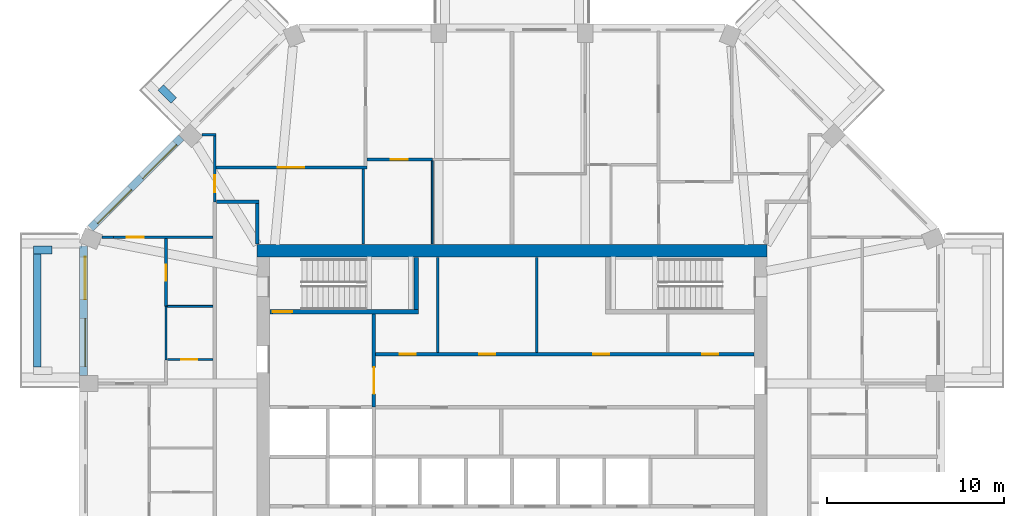
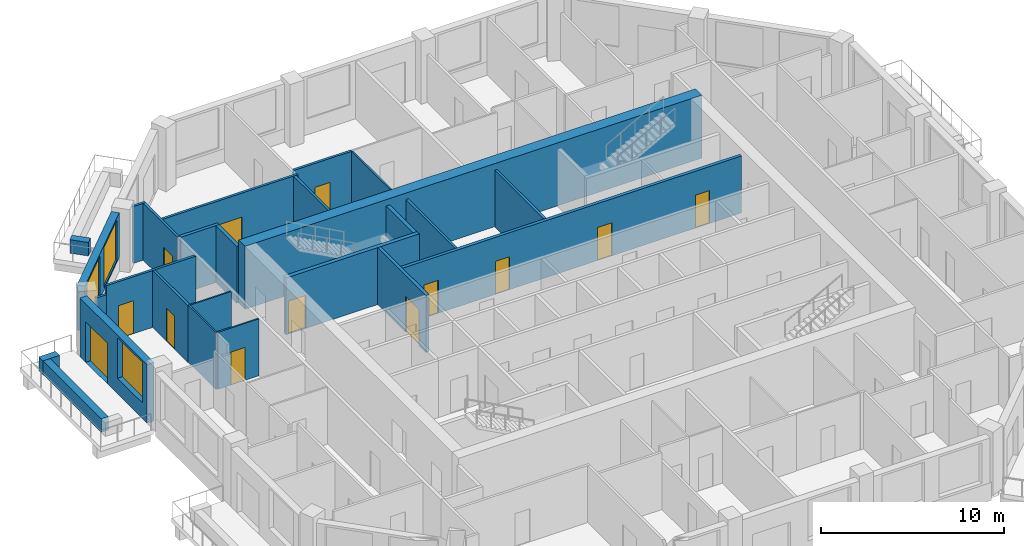
# One storey, part 7 of 12: 26 walls, 13 doors, 3 windows, 16 openings.
"""IFC4 building model written with IfcOpenShell, lengths in metres."""

import ifcopenshell
import ifcopenshell.guid

model = None  # the IFC model being written
_history = None  # IfcOwnerHistory: only IFC2X3 demands one
_inside = {}  # id of a spatial element -> (the spatial element, [elements in it])
_under = {}  # id of a project, library or spatial element -> (it, [spatial elements below it])
_declared = {}  # id of a project -> (the project, [libraries it declares])
_typed = {}  # id of a type object -> (the type object, [elements of that type])
_made_of = {}  # id of a material, layer set ... -> (it, [elements and type objects made of it])


def new_model(schema):
    """Start an empty IFC model of exactly this schema.

    Asked for "IFC4X3", IfcOpenShell would pick the latest addendum, in which some entities
    have other attributes; the version numbers below select the first issue.
    IFC2X3 requires an IfcOwnerHistory on every rooted entity: one is made here for all.
    """
    global model, _history
    if schema == "IFC4X3":
        model = ifcopenshell.file(schema_version=(4, 3, 0, 0))
    else:
        model = ifcopenshell.file(schema=schema)
    _inside.clear()
    _under.clear()
    _declared.clear()
    _typed.clear()
    _made_of.clear()
    _history = None
    if model.schema == "IFC2X3":
        org = make("IfcOrganization", Name="unknown")
        user = make(
            "IfcPersonAndOrganization",
            ThePerson=make("IfcPerson", FamilyName="unknown"),
            TheOrganization=org,
        )
        app = make(
            "IfcApplication",
            ApplicationDeveloper=org,
            Version="unknown",
            ApplicationFullName="unknown",
            ApplicationIdentifier="unknown",
        )
        _history = make(
            "IfcOwnerHistory",
            OwningUser=user,
            OwningApplication=app,
            ChangeAction="ADDED",
            CreationDate=0,
        )
    return model


def make(cls, **values):
    """One entity of the class cls with the attributes given. An attribute that is None is left unset."""
    return model.create_entity(
        cls, **{name: value for name, value in values.items() if value is not None}
    )


def rooted(cls, **values):
    """An entity with a GlobalId (a new one), such as an element, a storey or a relation."""
    return make(cls, GlobalId=ifcopenshell.guid.new(), OwnerHistory=_history, **values)


def si_unit(unit_type, name, prefix=None):
    """IfcSIUnit, for example si_unit("LENGTHUNIT", "METRE", prefix="MILLI")."""
    return make("IfcSIUnit", UnitType=unit_type, Prefix=prefix, Name=name)


def assignment(units):
    """IfcUnitAssignment: the units of a project."""
    return None if units is None else make("IfcUnitAssignment", Units=units)


def point(xyz):
    """IfcCartesianPoint."""
    return None if xyz is None else make("IfcCartesianPoint", Coordinates=xyz)


def direction(xyz):
    """IfcDirection."""
    return None if xyz is None else make("IfcDirection", DirectionRatios=xyz)


def frame(location, z_axis=None, x_axis=None):
    """IfcAxis2Placement3D, a coordinate frame: its origin and axes. An axis left out is left unset."""
    return make(
        "IfcAxis2Placement3D",
        Location=point(location),
        Axis=direction(z_axis),
        RefDirection=direction(x_axis),
    )


def frame_2d(location, x_axis=None):
    """IfcAxis2Placement2D, a coordinate frame in the plane: its origin and x axis."""
    return make(
        "IfcAxis2Placement2D", Location=point(location), RefDirection=direction(x_axis)
    )


def origin():
    """The frame at (0, 0, 0) with its axes left unset."""
    return frame((0.0, 0.0, 0.0))


def place(relative_to, where):
    """IfcLocalPlacement: puts the frame where relative to a parent placement (None: the world)."""
    return make(
        "IfcLocalPlacement", PlacementRelTo=relative_to, RelativePlacement=where
    )


def context(
    kind, dimensions, precision=None, world=None, true_north=None, identifier=None
):
    """IfcGeometricRepresentationContext, for example the 3D "Model" context."""
    return make(
        "IfcGeometricRepresentationContext",
        ContextIdentifier=identifier,
        ContextType=kind,
        CoordinateSpaceDimension=dimensions,
        Precision=precision,
        WorldCoordinateSystem=world,
        TrueNorth=true_north,
    )


def subcontext(parent, identifier, kind, view, scale=None):
    """IfcGeometricRepresentationSubContext, for example "Body" below "Model"."""
    return make(
        "IfcGeometricRepresentationSubContext",
        ContextIdentifier=identifier,
        ContextType=kind,
        ParentContext=parent,
        TargetScale=scale,
        TargetView=view,
    )


def project(units=None, contexts=None):
    """IfcProject with its units and contexts."""
    return rooted(
        "IfcProject",
        Name="project",
        RepresentationContexts=contexts,
        UnitsInContext=assignment(units),
    )


def spatial(cls, under=None, at=None, **own):
    """A site, building, storey or space (cls), placed at a placement, below another one or the project."""
    s = rooted(cls, ObjectPlacement=at, **own)
    if under is not None:
        _under.setdefault(under.id(), (under, []))[1].append(s)
    return s


def profile(cls, at=None, kind="AREA", **sizes):
    """A parametric profile (cls). Its sizes go by their IFC names, for example OverallWidth=200.0."""
    return make(cls, ProfileType=kind, Position=at, **sizes)


def rectangle(**sizes):
    """IfcRectangleProfileDef."""
    return profile("IfcRectangleProfileDef", **sizes)


def extrude(swept, where, along, depth):
    """IfcExtrudedAreaSolid: the profile swept, set in the frame where, extruded along a direction by depth."""
    return make(
        "IfcExtrudedAreaSolid",
        SweptArea=swept,
        Position=where,
        ExtrudedDirection=direction(along),
        Depth=depth,
    )


def shape(context_of_items, identifier, shape_type, items):
    """IfcShapeRepresentation: the items that make up one representation, for example the "Body"."""
    return make(
        "IfcShapeRepresentation",
        ContextOfItems=context_of_items,
        RepresentationIdentifier=identifier,
        RepresentationType=shape_type,
        Items=items,
    )


def material(Name=None, Category=None):
    """IfcMaterial."""
    return make("IfcMaterial", Name=Name, Category=Category)


def layer(
    of_material, thickness, ventilated=None, Name=None, Category=None, Priority=None
):
    """IfcMaterialLayer: one layer of a wall or slab, of a material (None: an air gap)."""
    return make(
        "IfcMaterialLayer",
        Material=of_material,
        LayerThickness=thickness,
        IsVentilated=ventilated,
        Name=Name,
        Category=Category,
        Priority=Priority,
    )


def layer_set(layers, Name=None):
    """IfcMaterialLayerSet."""
    return make("IfcMaterialLayerSet", MaterialLayers=layers, LayerSetName=Name)


def made_of(thing, what):
    """Note that an element or type object is made of a material, layer set ...; save() writes the relation."""
    if what is not None:
        _made_of.setdefault(what.id(), (what, []))[1].append(thing)
    return thing


def type_object(cls, material=None, **own):
    """A type object (cls), such as IfcWallType, which elements share."""
    return made_of(rooted(cls, **own), material)


def element(
    cls,
    number,
    at=None,
    inside=None,
    cuts=None,
    type_object=None,
    material=None,
    context=None,
    identifier="Body",
    shape_type=None,
    held_by="IfcProductDefinitionShape",
    body=None,
    shapes=None,
    **own,
):
    """One element of the class cls, such as IfcWall. Its Tag is "e" and its number.

    at: its placement. inside: the storey or other place that contains it. cuts: it is an
    opening in that element (IfcRelVoidsElement). A single representation is given by context,
    identifier, shape_type and body (its items); several are given by shapes. held_by: the class
    of the entity that holds the representations. save() writes the other relations.
    """
    e = rooted(cls, Tag="e%d" % number, ObjectPlacement=at, **own)
    if body is not None:
        shapes = [shape(context, identifier, shape_type, body)]
    if shapes is not None:
        e.Representation = make(held_by, Representations=shapes)
    if inside is not None:
        _inside.setdefault(inside.id(), (inside, []))[1].append(e)
    if cuts is not None:
        rooted(
            "IfcRelVoidsElement", RelatingBuildingElement=cuts, RelatedOpeningElement=e
        )
    if type_object is not None:
        _typed.setdefault(type_object.id(), (type_object, []))[1].append(e)
    return made_of(e, material)


def fill(opening, filler):
    """IfcRelFillsElement: the door or window that sits in an opening."""
    return rooted(
        "IfcRelFillsElement",
        RelatingOpeningElement=opening,
        RelatedBuildingElement=filler,
    )


def aggregate(whole, parts):
    """IfcRelAggregates: a whole, such as a stair, and the parts it consists of."""
    return rooted("IfcRelAggregates", RelatingObject=whole, RelatedObjects=parts)


def save(model, path):
    """Write the relations noted so far, then the file.

    IfcRelAggregates (storeys below a building ...), IfcRelContainedInSpatialStructure (elements
    in a storey), IfcRelDefinesByType, IfcRelAssociatesMaterial and IfcRelDeclares: one each for
    every whole, place, type object, material and project.
    """
    for whole, parts in _under.values():
        aggregate(whole, parts)
    for where, things in _inside.values():
        rooted(
            "IfcRelContainedInSpatialStructure",
            RelatedElements=things,
            RelatingStructure=where,
        )
    for kind, things in _typed.values():
        rooted("IfcRelDefinesByType", RelatedObjects=things, RelatingType=kind)
    for what, things in _made_of.values():
        rooted("IfcRelAssociatesMaterial", RelatedObjects=things, RelatingMaterial=what)
    for by, libraries in _declared.values():
        rooted("IfcRelDeclares", RelatingContext=by, RelatedDefinitions=libraries)
    model.write(path)


model = new_model("IFC4")

# Units and contexts
model_context = context("Model", 3, precision=1e-05, world=origin(), true_north=direction((0.0, 1.0)))
body_context = subcontext(model_context, "Body", "Model", "MODEL_VIEW")
ifc_project = project(units=[si_unit("LENGTHUNIT", "METRE"), si_unit("AREAUNIT", "SQUARE_METRE"), si_unit("VOLUMEUNIT", "CUBIC_METRE"), si_unit("PLANEANGLEUNIT", "RADIAN"), si_unit("MASSUNIT", "GRAM", prefix="KILO")], contexts=[model_context])

# Site, building, storey
site_placement = place(None, origin())
site = spatial("IfcSite", under=ifc_project, at=site_placement, CompositionType="ELEMENT")
building_placement = place(site_placement, origin())
building = spatial("IfcBuilding", under=site, at=building_placement, Name="Msitu Wima Residences", CompositionType="ELEMENT")
storey_placement = place(building_placement, frame((0.0, 0.0, 200.10009765625)))
storey = spatial("IfcBuildingStorey", under=building, at=storey_placement, Name="L46", CompositionType="ELEMENT", Elevation=200.10009765625)

# Walls
ifc_material_1 = material(Name="Facing brick")
ifc_layer_1 = layer(ifc_material_1, 0.06494140625, Name="Facing brick")
ifc_material_2 = material(Name="Concrete C40/50", Category="concrete")
ifc_layer_2 = layer(ifc_material_2, 0.156005859375, Name="Concrete C40/50")
ifc_material_3 = material(Name="Waterproofing membrane")
ifc_layer_3 = layer(ifc_material_3, 0.00390625, Name="Waterproofing membrane")
ifc_material_4 = material(Name="Planting soil and planting")
ifc_layer_4 = layer(ifc_material_4, 0.22509765625, Name="Planting soil and planting")
ifc_layer_set_1 = layer_set([ifc_layer_1, ifc_layer_2, ifc_layer_3, ifc_layer_4], Name="Concrete C40/50")
wall_type_1 = type_object("IfcWallType", Name="Balcony planter PLANTER PL450", PredefinedType="USERDEFINED", material=ifc_layer_set_1)
wall_1_placement = place(storey_placement, frame((-19.107421875, 20.1328125, 0.0), z_axis=(0.0, 0.0, 1.0), x_axis=(-0.707106781187, 0.707106781187, 0.0)))
element("IfcWall", 1, at=wall_1_placement, inside=storey, type_object=wall_type_1, Name="Balcony planter NW0 L46", ObjectType="PLANTER", PredefinedType="USERDEFINED", context=body_context, shape_type="SweptSolid", body=[
    extrude(rectangle(XDim=1.050048828125, YDim=0.449951171875, at=frame_2d((0.52490234375, 0.0))), origin(), (0.0, 0.0, 1.0), 0.89990234375),
])
wall_2_placement = place(storey_placement, frame((-26.824951171875, 11.461669921875, 0.0), z_axis=(0.0, 0.0, 1.0), x_axis=(0.0, -1.0, 0.0)))
element("IfcWall", 2, at=wall_2_placement, inside=storey, type_object=wall_type_1, Name="Balcony planter W0 L46", ObjectType="PLANTER", PredefinedType="USERDEFINED", context=body_context, shape_type="SweptSolid", body=[
    extrude(rectangle(XDim=6.37451171875, YDim=0.449951171875, at=frame_2d((3.187255859375, 0.0))), origin(), (0.0, 0.0, 1.0), 0.89990234375),
])
wall_3_placement = place(storey_placement, frame((-26.0, 11.686767578125, 0.0), z_axis=(0.0, 0.0, 1.0), x_axis=(-1.0, 0.0, 0.0)))
element("IfcWall", 3, at=wall_3_placement, inside=storey, type_object=wall_type_1, Name="Balcony planter W0 L46", ObjectType="PLANTER", PredefinedType="USERDEFINED", context=body_context, shape_type="SweptSolid", body=[
    extrude(rectangle(XDim=1.050048828125, YDim=0.449951171875, at=frame_2d((0.52490234375, 0.0))), origin(), (0.0, 0.0, 1.0), 0.89990234375),
])

# Wall, openings, windows
ifc_material_5 = material(Name="Brick (red buff mix)", Category="masonry")
ifc_layer_5 = layer(ifc_material_5, 0.449951171875)
ifc_layer_set_2 = layer_set([ifc_layer_5], Name="Brick (red buff mix)")
wall_type_2 = type_object("IfcWallType", Name="Brick infill wall BW450", PredefinedType="SOLIDWALL", material=ifc_layer_set_2)
wall_4_placement = place(storey_placement, frame((-18.68310546875, 18.046875, 0.89990234375), z_axis=(0.0, 0.0, 1.0), x_axis=(-0.707106781187, -0.707106781187, 0.0)))
wall_4 = element("IfcWall", 4, at=wall_4_placement, inside=storey, type_object=wall_type_2, Name="Brick infill wall L46 NW1", PredefinedType="SOLIDWALL", context=body_context, shape_type="SweptSolid", body=[
    extrude(rectangle(XDim=7.257080078125, YDim=0.449951171875, at=frame_2d((3.62841796875, 0.0))), origin(), (0.0, 0.0, 1.0), 3.0),
])
opening_1_placement = place(wall_4_placement, frame((0.478515625, 0.0, 0.14990234375)))
opening_1 = element("IfcOpeningElement", 5, at=opening_1_placement, cuts=wall_4, Name="Opening W46.014", PredefinedType="OPENING", context=body_context, shape_type="SweptSolid", body=[
    extrude(rectangle(XDim=2.699951171875, YDim=2.699951171875, at=frame_2d((1.35009765625, 1.35009765625))), frame((0.0, 0.23486328125, 0.0), z_axis=(0.0, -1.0, 0.0), x_axis=(1.0, 0.0, 0.0)), (0.0, 0.0, 1.0), 0.469970703125),
])
opening_2_placement = place(wall_4_placement, frame((4.07861328125, 0.0, 0.14990234375)))
opening_2 = element("IfcOpeningElement", 6, at=opening_2_placement, cuts=wall_4, Name="Opening W46.015", PredefinedType="OPENING", context=body_context, shape_type="SweptSolid", body=[
    extrude(rectangle(XDim=2.699951171875, YDim=2.699951171875, at=frame_2d((1.35009765625, 1.35009765625))), frame((0.0, 0.23486328125, 0.0), z_axis=(0.0, -1.0, 0.0), x_axis=(1.0, 0.0, 0.0)), (0.0, 0.0, 1.0), 0.469970703125),
])
ifc_material_6 = material(Name="Anodised aluminium, bronze finish, clear low-emissivity double glazing", Category="aluminium")
window_type = type_object("IfcWindowType", Name="Window W2700x2700", PartitioningType="DOUBLE_PANEL_VERTICAL", PredefinedType="WINDOW", material=ifc_material_6)
window_1_placement = place(opening_1_placement, origin())
window_1 = element("IfcWindow", 7, at=window_1_placement, inside=storey, type_object=window_type, Name="Window L46 NW1.1", OverallHeight=2.699951171875, OverallWidth=2.699951171875, PartitioningType="SINGLE_PANEL", PredefinedType="WINDOW", context=body_context, shape_type="SweptSolid", body=[
    extrude(rectangle(XDim=2.699951171875, YDim=2.699951171875, at=frame_2d((1.35009765625, 1.35009765625))), frame((0.0, 0.135009765625, 0.0), z_axis=(0.0, -1.0, 0.0), x_axis=(1.0, 0.0, 0.0)), (0.0, 0.0, 1.0), 0.06005859375),
])
fill(opening_1, window_1)
window_2_placement = place(opening_2_placement, origin())
window_2 = element("IfcWindow", 8, at=window_2_placement, inside=storey, type_object=window_type, Name="Window L46 NW1.2", OverallHeight=2.699951171875, OverallWidth=2.699951171875, PartitioningType="SINGLE_PANEL", PredefinedType="WINDOW", context=body_context, shape_type="SweptSolid", body=[
    extrude(rectangle(XDim=2.699951171875, YDim=2.699951171875, at=frame_2d((1.35009765625, 1.35009765625))), frame((0.0, 0.135009765625, 0.0), z_axis=(0.0, -1.0, 0.0), x_axis=(1.0, 0.0, 0.0)), (0.0, 0.0, 1.0), 0.06005859375),
])
fill(opening_2, window_2)

# Wall, openings, door, window
wall_5_placement = place(storey_placement, frame((-24.22509765625, 11.9248046875, 0.0), z_axis=(0.0, 0.0, 1.0), x_axis=(0.0, -1.0, 0.0)))
wall_5 = element("IfcWall", 9, at=wall_5_placement, inside=storey, type_object=wall_type_2, Name="Brick infill wall L46 W0", PredefinedType="SOLIDWALL", context=body_context, shape_type="SweptSolid", body=[
    extrude(rectangle(XDim=7.337646484375, YDim=0.449951171875, at=frame_2d((3.6689453125, 0.0))), origin(), (0.0, 0.0, 1.0), 3.89990234375),
])
opening_3_placement = place(wall_5_placement, frame((0.63427734375, 0.0, 0.0)))
opening_3 = element("IfcOpeningElement", 10, at=opening_3_placement, cuts=wall_5, Name="Opening D46.009", PredefinedType="OPENING", context=body_context, shape_type="SweptSolid", body=[
    extrude(rectangle(XDim=2.39990234375, YDim=2.699951171875, at=frame_2d((1.199951171875, 1.35009765625))), frame((0.0, 0.23486328125, 0.0), z_axis=(0.0, -1.0, 0.0), x_axis=(1.0, 0.0, 0.0)), (0.0, 0.0, 1.0), 0.469970703125),
])
opening_4_placement = place(wall_5_placement, frame((4.11865234375, 0.0, 1.050048828125)))
opening_4 = element("IfcOpeningElement", 11, at=opening_4_placement, cuts=wall_5, Name="Opening W46.027", PredefinedType="OPENING", context=body_context, shape_type="SweptSolid", body=[
    extrude(rectangle(XDim=2.699951171875, YDim=2.699951171875, at=frame_2d((1.35009765625, 1.35009765625))), frame((0.0, 0.23486328125, 0.0), z_axis=(0.0, -1.0, 0.0), x_axis=(1.0, 0.0, 0.0)), (0.0, 0.0, 1.0), 0.469970703125),
])
door_type_1 = type_object("IfcDoorType", Name="Balcony door D2400x2700", OperationType="SLIDING_TO_LEFT", PredefinedType="DOOR", material=ifc_material_6)
door_1_placement = place(opening_3_placement, origin())
door_1 = element("IfcDoor", 12, at=door_1_placement, inside=storey, type_object=door_type_1, Name="Balcony door L46 W0", OperationType="SINGLE_SWING_LEFT", OverallHeight=2.699951171875, OverallWidth=2.39990234375, PredefinedType="DOOR", context=body_context, shape_type="SweptSolid", body=[
    extrude(rectangle(XDim=2.39990234375, YDim=2.699951171875, at=frame_2d((1.199951171875, 1.35009765625))), frame((0.0, 0.1298828125, 0.0), z_axis=(0.0, -1.0, 0.0), x_axis=(1.0, 0.0, 0.0)), (0.0, 0.0, 1.0), 0.050048828125),
])
fill(opening_3, door_1)
window_3_placement = place(opening_4_placement, origin())
window_3 = element("IfcWindow", 13, at=window_3_placement, inside=storey, type_object=window_type, Name="Window L46 W0.2", OverallHeight=2.699951171875, OverallWidth=2.699951171875, PartitioningType="SINGLE_PANEL", PredefinedType="WINDOW", context=body_context, shape_type="SweptSolid", body=[
    extrude(rectangle(XDim=2.699951171875, YDim=2.699951171875, at=frame_2d((1.35009765625, 1.35009765625))), frame((0.0, 0.135009765625, 0.0), z_axis=(0.0, -1.0, 0.0), x_axis=(1.0, 0.0, 0.0)), (0.0, 0.0, 1.0), 0.06005859375),
])
fill(opening_4, window_3)

# Walls
ifc_material_7 = material(Name="Concrete C60/75", Category="concrete")
ifc_layer_6 = layer(ifc_material_7, 0.699951171875)
ifc_layer_set_3 = layer_set([ifc_layer_6], Name="Concrete C60/75")
wall_type_3 = type_object("IfcWallType", Name="Core wall CW700 C60/75", PredefinedType="SHEAR", material=ifc_layer_set_3)
wall_6_placement = place(storey_placement, frame((-14.39990234375, 11.64990234375, 0.0), z_axis=(0.0, 0.0, 1.0), x_axis=(1.0, 0.0, 0.0)))
element("IfcWall", 14, at=wall_6_placement, inside=storey, type_object=wall_type_3, Name="Core wall", PredefinedType="SHEAR", context=body_context, shape_type="SweptSolid", body=[
    extrude(rectangle(XDim=28.7998046875, YDim=0.699951171875, at=frame_2d((14.39990234375, 0.0))), origin(), (0.0, 0.0, 1.0), 4.199951171875),
])
ifc_material_8 = material(Name="Plaster")
ifc_layer_7 = layer(ifc_material_8, 0.011962890625, Name="Plaster")
ifc_material_9 = material(Name="Concrete blockwork", Category="masonry")
ifc_layer_8 = layer(ifc_material_9, 0.176025390625, Name="Concrete blockwork")
ifc_layer_9 = layer(ifc_material_8, 0.011962890625, Name="Plaster")
ifc_layer_set_4 = layer_set([ifc_layer_7, ifc_layer_8, ifc_layer_9], Name="Concrete blockwork")
wall_type_4 = type_object("IfcWallType", Name="Corridor wall FW200", PredefinedType="PARTITIONING", material=ifc_layer_set_4)
wall_7_placement = place(storey_placement, frame((-16.699951171875, 14.39990234375, 0.0), z_axis=(0.0, 0.0, 1.0), x_axis=(1.0, 0.0, 0.0)))
element("IfcWall", 15, at=wall_7_placement, inside=storey, type_object=wall_type_4, Name="Corridor wall", PredefinedType="PARTITIONING", context=body_context, shape_type="SweptSolid", body=[
    extrude(rectangle(XDim=2.39990234375, YDim=0.199951171875, at=frame_2d((1.199951171875, 0.0))), origin(), (0.0, 0.0, 1.0), 3.7978515625),
])
wall_8_placement = place(storey_placement, frame((-14.39990234375, 12.030029296875, 0.0), z_axis=(0.0, 0.0, 1.0), x_axis=(0.0, 1.0, 0.0)))
element("IfcWall", 16, at=wall_8_placement, inside=storey, type_object=wall_type_4, Name="Corridor wall", PredefinedType="PARTITIONING", context=body_context, shape_type="SweptSolid", body=[
    extrude(rectangle(XDim=2.27001953125, YDim=0.199951171875, at=frame_2d((1.135009765625, 0.0))), origin(), (0.0, 0.0, 1.0), 3.7978515625),
])

# Wall, opening, door
wall_9_placement = place(storey_placement, frame((-7.800048828125, 2.800048828125, 0.0), z_axis=(0.0, 0.0, 1.0), x_axis=(0.0, 1.0, 0.0)))
wall_9 = element("IfcWall", 17, at=wall_9_placement, inside=storey, type_object=wall_type_4, Name="Corridor wall", PredefinedType="PARTITIONING", context=body_context, shape_type="SweptSolid", body=[
    extrude(rectangle(XDim=5.27490234375, YDim=0.199951171875, at=frame_2d((2.637451171875, 0.0))), origin(), (0.0, 0.0, 1.0), 3.7978515625),
])
opening_5_placement = place(wall_9_placement, frame((0.75, 0.0, 0.0)))
opening_5 = element("IfcOpeningElement", 18, at=opening_5_placement, cuts=wall_9, Name="Opening D46.061", PredefinedType="OPENING", context=body_context, shape_type="SweptSolid", body=[
    extrude(rectangle(XDim=1.5, YDim=2.39990234375, at=frame_2d((0.75, 1.199951171875))), frame((0.0, 0.10986328125, 0.0), z_axis=(0.0, -1.0, 0.0), x_axis=(1.0, 0.0, 0.0)), (0.0, 0.0, 1.0), 0.219970703125),
])
ifc_material_10 = material(Name="Steel framed glazed door, fire resisting", Category="steel")
door_type_2 = type_object("IfcDoorType", Name="Lobby door D07 1500x2400", OperationType="DOUBLE_DOOR_SINGLE_SWING", PredefinedType="DOOR", material=ifc_material_10)
door_2_placement = place(opening_5_placement, origin())
door_2 = element("IfcDoor", 19, at=door_2_placement, inside=storey, type_object=door_type_2, Name="Lobby door", OperationType="DOUBLE_DOOR_SINGLE_SWING", OverallHeight=2.39990234375, OverallWidth=1.5, PredefinedType="DOOR", context=body_context, shape_type="SweptSolid", body=[
    extrude(rectangle(XDim=1.5, YDim=2.39990234375, at=frame_2d((0.75, 1.199951171875))), frame((0.0, 0.02490234375, 0.0), z_axis=(0.0, -1.0, 0.0), x_axis=(1.0, 0.0, 0.0)), (0.0, 0.0, 1.0), 0.050048828125),
])
fill(opening_5, door_2)

# Wall, openings, doors
wall_10_placement = place(storey_placement, frame((-7.699951171875, 5.800048828125, 0.0), z_axis=(0.0, 0.0, 1.0), x_axis=(1.0, 0.0, 0.0)))
wall_10 = element("IfcWall", 20, at=wall_10_placement, inside=storey, type_object=wall_type_4, Name="Corridor wall", PredefinedType="PARTITIONING", context=body_context, shape_type="SweptSolid", body=[
    extrude(rectangle(XDim=21.369873046875, YDim=0.199951171875, at=frame_2d((10.68505859375, 0.0))), origin(), (0.0, 0.0, 1.0), 3.7978515625),
])
opening_6_placement = place(wall_10_placement, frame((1.35009765625, 0.0, 0.0)))
opening_6 = element("IfcOpeningElement", 21, at=opening_6_placement, cuts=wall_10, Name="Opening D46.064", PredefinedType="OPENING", context=body_context, shape_type="SweptSolid", body=[
    extrude(rectangle(XDim=0.89990234375, YDim=2.199951171875, at=frame_2d((0.449951171875, 1.10009765625))), frame((0.0, 0.10986328125, 0.0), z_axis=(0.0, -1.0, 0.0), x_axis=(1.0, 0.0, 0.0)), (0.0, 0.0, 1.0), 0.219970703125),
])
opening_7_placement = place(wall_10_placement, frame((5.85009765625, 0.0, 0.0)))
opening_7 = element("IfcOpeningElement", 22, at=opening_7_placement, cuts=wall_10, Name="Opening D46.065", PredefinedType="OPENING", context=body_context, shape_type="SweptSolid", body=[
    extrude(rectangle(XDim=0.89990234375, YDim=2.199951171875, at=frame_2d((0.449951171875, 1.10009765625))), frame((0.0, 0.10986328125, 0.0), z_axis=(0.0, -1.0, 0.0), x_axis=(1.0, 0.0, 0.0)), (0.0, 0.0, 1.0), 0.219970703125),
])
opening_8_placement = place(wall_10_placement, frame((12.300048828125, 0.0, 0.0)))
opening_8 = element("IfcOpeningElement", 23, at=opening_8_placement, cuts=wall_10, Name="Opening D46.066", PredefinedType="OPENING", context=body_context, shape_type="SweptSolid", body=[
    extrude(rectangle(XDim=0.89990234375, YDim=2.199951171875, at=frame_2d((0.449951171875, 1.10009765625))), frame((0.0, 0.10986328125, 0.0), z_axis=(0.0, -1.0, 0.0), x_axis=(1.0, 0.0, 0.0)), (0.0, 0.0, 1.0), 0.219970703125),
])
opening_9_placement = place(wall_10_placement, frame((18.449951171875, 0.0, 0.0)))
opening_9 = element("IfcOpeningElement", 24, at=opening_9_placement, cuts=wall_10, Name="Opening D46.067", PredefinedType="OPENING", context=body_context, shape_type="SweptSolid", body=[
    extrude(rectangle(XDim=0.89990234375, YDim=2.199951171875, at=frame_2d((0.449951171875, 1.10009765625))), frame((0.0, 0.10986328125, 0.0), z_axis=(0.0, -1.0, 0.0), x_axis=(1.0, 0.0, 0.0)), (0.0, 0.0, 1.0), 0.219970703125),
])
ifc_material_11 = material(Name="Timber flush door", Category="wood")
door_type_3 = type_object("IfcDoorType", Name="Service door D05 900x2200", OperationType="SINGLE_SWING_LEFT", PredefinedType="DOOR", material=ifc_material_11)
door_3_placement = place(opening_6_placement, origin())
door_3 = element("IfcDoor", 25, at=door_3_placement, inside=storey, type_object=door_type_3, Name="Service door", OperationType="SINGLE_SWING_RIGHT", OverallHeight=2.199951171875, OverallWidth=0.89990234375, PredefinedType="DOOR", context=body_context, shape_type="SweptSolid", body=[
    extrude(rectangle(XDim=0.89990234375, YDim=2.199951171875, at=frame_2d((0.449951171875, 1.10009765625))), frame((0.0, 0.02490234375, 0.0), z_axis=(0.0, -1.0, 0.0), x_axis=(1.0, 0.0, 0.0)), (0.0, 0.0, 1.0), 0.050048828125),
])
fill(opening_6, door_3)
door_4_placement = place(opening_7_placement, origin())
door_4 = element("IfcDoor", 26, at=door_4_placement, inside=storey, type_object=door_type_3, Name="Service door", OperationType="SINGLE_SWING_LEFT", OverallHeight=2.199951171875, OverallWidth=0.89990234375, PredefinedType="DOOR", context=body_context, shape_type="SweptSolid", body=[
    extrude(rectangle(XDim=0.89990234375, YDim=2.199951171875, at=frame_2d((0.449951171875, 1.10009765625))), frame((0.0, 0.02490234375, 0.0), z_axis=(0.0, -1.0, 0.0), x_axis=(1.0, 0.0, 0.0)), (0.0, 0.0, 1.0), 0.050048828125),
])
fill(opening_7, door_4)
door_5_placement = place(opening_8_placement, origin())
door_5 = element("IfcDoor", 27, at=door_5_placement, inside=storey, type_object=door_type_3, Name="Service door", OperationType="SINGLE_SWING_RIGHT", OverallHeight=2.199951171875, OverallWidth=0.89990234375, PredefinedType="DOOR", context=body_context, shape_type="SweptSolid", body=[
    extrude(rectangle(XDim=0.89990234375, YDim=2.199951171875, at=frame_2d((0.449951171875, 1.10009765625))), frame((0.0, 0.02490234375, 0.0), z_axis=(0.0, -1.0, 0.0), x_axis=(1.0, 0.0, 0.0)), (0.0, 0.0, 1.0), 0.050048828125),
])
fill(opening_8, door_5)
door_6_placement = place(opening_9_placement, origin())
door_6 = element("IfcDoor", 28, at=door_6_placement, inside=storey, type_object=door_type_3, Name="Service door", OperationType="SINGLE_SWING_LEFT", OverallHeight=2.199951171875, OverallWidth=0.89990234375, PredefinedType="DOOR", context=body_context, shape_type="SweptSolid", body=[
    extrude(rectangle(XDim=0.89990234375, YDim=2.199951171875, at=frame_2d((0.449951171875, 1.10009765625))), frame((0.0, 0.02490234375, 0.0), z_axis=(0.0, -1.0, 0.0), x_axis=(1.0, 0.0, 0.0)), (0.0, 0.0, 1.0), 0.050048828125),
])
fill(opening_9, door_6)

# Wall
ifc_layer_10 = layer(ifc_material_8, 0.011962890625, Name="Plaster")
ifc_layer_11 = layer(ifc_material_9, 0.1259765625, Name="Concrete blockwork")
ifc_layer_12 = layer(ifc_material_8, 0.011962890625, Name="Plaster")
ifc_layer_set_5 = layer_set([ifc_layer_10, ifc_layer_11, ifc_layer_12], Name="Concrete blockwork")
wall_type_5 = type_object("IfcWallType", Name="Partition PW150", PredefinedType="PARTITIONING", material=ifc_layer_set_5)
wall_11_placement = place(storey_placement, frame((-23.169677734375, 12.409912109375, 0.0), z_axis=(0.0, 0.0, 1.0), x_axis=(1.0, 0.0, 0.0)))
element("IfcWall", 29, at=wall_11_placement, inside=storey, type_object=wall_type_5, Name="Partition", PredefinedType="PARTITIONING", context=body_context, shape_type="SweptSolid", body=[
    extrude(rectangle(XDim=0.640380859375, YDim=0.14990234375, at=frame_2d((0.3203125, 0.0))), origin(), (0.0, 0.0, 1.0), 3.199951171875),
])

# Wall, opening, door
wall_12_placement = place(storey_placement, frame((-22.529296875, 12.409912109375, 0.0), z_axis=(0.0, 0.0, 1.0), x_axis=(1.0, 0.0, 0.0)))
wall_12 = element("IfcWall", 30, at=wall_12_placement, inside=storey, type_object=wall_type_5, Name="Partition", PredefinedType="PARTITIONING", context=body_context, shape_type="SweptSolid", body=[
    extrude(rectangle(XDim=5.62939453125, YDim=0.14990234375, at=frame_2d((2.814697265625, 0.0))), origin(), (0.0, 0.0, 1.0), 3.7978515625),
])
opening_10_placement = place(wall_12_placement, frame((0.759521484375, 0.0, 0.0)))
opening_10 = element("IfcOpeningElement", 31, at=opening_10_placement, cuts=wall_12, Name="Opening D46.043", PredefinedType="OPENING", context=body_context, shape_type="SweptSolid", body=[
    extrude(rectangle(XDim=0.949951171875, YDim=2.199951171875, at=frame_2d((0.47509765625, 1.10009765625))), frame((0.0, 0.0849609375, 0.0), z_axis=(0.0, -1.0, 0.0), x_axis=(1.0, 0.0, 0.0)), (0.0, 0.0, 1.0), 0.169921875),
])
door_type_4 = type_object("IfcDoorType", Name="Room door D12 950x2200", OperationType="SINGLE_SWING_LEFT", PredefinedType="DOOR", material=ifc_material_11)
door_7_placement = place(opening_10_placement, origin())
door_7 = element("IfcDoor", 32, at=door_7_placement, inside=storey, type_object=door_type_4, Name="Room door", OperationType="SINGLE_SWING_LEFT", OverallHeight=2.199951171875, OverallWidth=0.949951171875, PredefinedType="DOOR", context=body_context, shape_type="SweptSolid", body=[
    extrude(rectangle(XDim=0.949951171875, YDim=2.199951171875, at=frame_2d((0.47509765625, 1.10009765625))), frame((0.0, 0.02490234375, 0.0), z_axis=(0.0, -1.0, 0.0), x_axis=(1.0, 0.0, 0.0)), (0.0, 0.0, 1.0), 0.050048828125),
])
fill(opening_10, door_7)

wall_13_placement = place(storey_placement, frame((-19.550048828125, 8.5, 0.0), z_axis=(0.0, 0.0, 1.0), x_axis=(0.0, 1.0, 0.0)))
wall_13 = element("IfcWall", 33, at=wall_13_placement, inside=storey, type_object=wall_type_5, Name="Partition", PredefinedType="PARTITIONING", context=body_context, shape_type="SweptSolid", body=[
    extrude(rectangle(XDim=3.8349609375, YDim=0.14990234375, at=frame_2d((1.91748046875, 0.0))), origin(), (0.0, 0.0, 1.0), 3.7978515625),
])
opening_11_placement = place(wall_13_placement, frame((1.449951171875, 0.0, 0.0)))
opening_11 = element("IfcOpeningElement", 34, at=opening_11_placement, cuts=wall_13, Name="Opening D46.029", PredefinedType="OPENING", context=body_context, shape_type="SweptSolid", body=[
    extrude(rectangle(XDim=0.89990234375, YDim=2.199951171875, at=frame_2d((0.449951171875, 1.10009765625))), frame((0.0, 0.0849609375, 0.0), z_axis=(0.0, -1.0, 0.0), x_axis=(1.0, 0.0, 0.0)), (0.0, 0.0, 1.0), 0.169921875),
])
door_8_placement = place(opening_11_placement, origin())
door_8 = element("IfcDoor", 35, at=door_8_placement, inside=storey, type_object=door_type_3, Name="Service door", OperationType="SINGLE_SWING_RIGHT", OverallHeight=2.199951171875, OverallWidth=0.89990234375, PredefinedType="DOOR", context=body_context, shape_type="SweptSolid", body=[
    extrude(rectangle(XDim=0.89990234375, YDim=2.199951171875, at=frame_2d((0.449951171875, 1.10009765625))), frame((0.0, 0.02490234375, 0.0), z_axis=(0.0, -1.0, 0.0), x_axis=(1.0, 0.0, 0.0)), (0.0, 0.0, 1.0), 0.050048828125),
])
fill(opening_11, door_8)

# Wall
wall_14_placement = place(storey_placement, frame((-17.509521484375, 18.205810546875, 0.0), z_axis=(0.0, 0.0, 1.0), x_axis=(1.0, 0.0, 0.0)))
element("IfcWall", 36, at=wall_14_placement, inside=storey, type_object=wall_type_5, Name="Partition", PredefinedType="PARTITIONING", context=body_context, shape_type="SweptSolid", body=[
    extrude(rectangle(XDim=0.784423828125, YDim=0.14990234375, at=frame_2d((0.39208984375, 0.0))), origin(), (0.0, 0.0, 1.0), 3.7978515625),
])

# Wall, opening, door
wall_15_placement = place(storey_placement, frame((-16.800048828125, 14.39990234375, 0.0), z_axis=(0.0, 0.0, 1.0), x_axis=(0.0, 1.0, 0.0)))
wall_15 = element("IfcWall", 37, at=wall_15_placement, inside=storey, type_object=wall_type_5, Name="Partition", PredefinedType="PARTITIONING", context=body_context, shape_type="SweptSolid", body=[
    extrude(rectangle(XDim=3.73095703125, YDim=0.14990234375, at=frame_2d((1.865478515625, 0.0))), origin(), (0.0, 0.0, 1.0), 3.7978515625),
])
opening_12_placement = place(wall_15_placement, frame((0.550048828125, 0.0, 0.0)))
opening_12 = element("IfcOpeningElement", 38, at=opening_12_placement, cuts=wall_15, Name="Opening D46.045", PredefinedType="OPENING", context=body_context, shape_type="SweptSolid", body=[
    extrude(rectangle(XDim=0.949951171875, YDim=2.199951171875, at=frame_2d((0.47509765625, 1.10009765625))), frame((0.0, 0.0849609375, 0.0), z_axis=(0.0, -1.0, 0.0), x_axis=(1.0, 0.0, 0.0)), (0.0, 0.0, 1.0), 0.169921875),
])
door_9_placement = place(opening_12_placement, origin())
door_9 = element("IfcDoor", 39, at=door_9_placement, inside=storey, type_object=door_type_4, Name="Room door", OperationType="SINGLE_SWING_LEFT", OverallHeight=2.199951171875, OverallWidth=0.949951171875, PredefinedType="DOOR", context=body_context, shape_type="SweptSolid", body=[
    extrude(rectangle(XDim=0.949951171875, YDim=2.199951171875, at=frame_2d((0.47509765625, 1.10009765625))), frame((0.0, 0.02490234375, 0.0), z_axis=(0.0, -1.0, 0.0), x_axis=(1.0, 0.0, 0.0)), (0.0, 0.0, 1.0), 0.050048828125),
])
fill(opening_12, door_9)

wall_16_placement = place(storey_placement, frame((-16.72509765625, 16.35009765625, 0.0), z_axis=(0.0, 0.0, 1.0), x_axis=(1.0, 0.0, 0.0)))
wall_16 = element("IfcWall", 40, at=wall_16_placement, inside=storey, type_object=wall_type_5, Name="Partition", PredefinedType="PARTITIONING", context=body_context, shape_type="SweptSolid", body=[
    extrude(rectangle(XDim=8.525634765625, YDim=0.14990234375, at=frame_2d((4.2626953125, 0.0))), origin(), (0.0, 0.0, 1.0), 3.7978515625),
])
opening_13_placement = place(wall_16_placement, frame((3.5, 0.0, 0.0)))
opening_13 = element("IfcOpeningElement", 41, at=opening_13_placement, cuts=wall_16, Name="Opening D46.026", PredefinedType="OPENING", context=body_context, shape_type="SweptSolid", body=[
    extrude(rectangle(XDim=1.5, YDim=2.199951171875, at=frame_2d((0.75, 1.10009765625))), frame((0.0, 0.0849609375, 0.0), z_axis=(0.0, -1.0, 0.0), x_axis=(1.0, 0.0, 0.0)), (0.0, 0.0, 1.0), 0.169921875),
])
ifc_material_12 = material(Name="Timber double door", Category="wood")
door_type_5 = type_object("IfcDoorType", Name="Double door D04 1500x2200", OperationType="DOUBLE_DOOR_SINGLE_SWING", PredefinedType="DOOR", material=ifc_material_12)
door_10_placement = place(opening_13_placement, origin())
door_10 = element("IfcDoor", 42, at=door_10_placement, inside=storey, type_object=door_type_5, Name="Double door", OperationType="DOUBLE_DOOR_SINGLE_SWING", OverallHeight=2.199951171875, OverallWidth=1.5, PredefinedType="DOOR", context=body_context, shape_type="SweptSolid", body=[
    extrude(rectangle(XDim=1.5, YDim=2.199951171875, at=frame_2d((0.75, 1.10009765625))), frame((0.0, 0.02490234375, 0.0), z_axis=(0.0, -1.0, 0.0), x_axis=(1.0, 0.0, 0.0)), (0.0, 0.0, 1.0), 0.050048828125),
])
fill(opening_13, door_10)

# Wall
wall_17_placement = place(storey_placement, frame((-8.39990234375, 12.030029296875, 0.0), z_axis=(0.0, 0.0, 1.0), x_axis=(0.0, 1.0, 0.0)))
element("IfcWall", 43, at=wall_17_placement, inside=storey, type_object=wall_type_5, Name="Partition", PredefinedType="PARTITIONING", context=body_context, shape_type="SweptSolid", body=[
    extrude(rectangle(XDim=4.244873046875, YDim=0.14990234375, at=frame_2d((2.12255859375, 0.0))), origin(), (0.0, 0.0, 1.0), 3.7978515625),
])

# Wall, opening, door
wall_18_placement = place(storey_placement, frame((-8.199462890625, 16.800048828125, 0.0), z_axis=(0.0, 0.0, 1.0), x_axis=(1.0, 0.0, 0.0)))
wall_18 = element("IfcWall", 44, at=wall_18_placement, inside=storey, type_object=wall_type_5, Name="Partition", PredefinedType="PARTITIONING", context=body_context, shape_type="SweptSolid", body=[
    extrude(rectangle(XDim=3.699462890625, YDim=0.14990234375, at=frame_2d((1.849609375, 0.0))), origin(), (0.0, 0.0, 1.0), 3.7978515625),
])
opening_14_placement = place(wall_18_placement, frame((1.35009765625, 0.0, 0.0)))
opening_14 = element("IfcOpeningElement", 45, at=opening_14_placement, cuts=wall_18, Name="Opening D46.035", PredefinedType="OPENING", context=body_context, shape_type="SweptSolid", body=[
    extrude(rectangle(XDim=0.949951171875, YDim=2.199951171875, at=frame_2d((0.47509765625, 1.10009765625))), frame((0.0, 0.0849609375, 0.0), z_axis=(0.0, -1.0, 0.0), x_axis=(1.0, 0.0, 0.0)), (0.0, 0.0, 1.0), 0.169921875),
])
door_11_placement = place(opening_14_placement, origin())
door_11 = element("IfcDoor", 46, at=door_11_placement, inside=storey, type_object=door_type_4, Name="Room door", OperationType="SINGLE_SWING_LEFT", OverallHeight=2.199951171875, OverallWidth=0.949951171875, PredefinedType="DOOR", context=body_context, shape_type="SweptSolid", body=[
    extrude(rectangle(XDim=0.949951171875, YDim=2.199951171875, at=frame_2d((0.47509765625, 1.10009765625))), frame((0.0, 0.02490234375, 0.0), z_axis=(0.0, -1.0, 0.0), x_axis=(1.0, 0.0, 0.0)), (0.0, 0.0, 1.0), 0.050048828125),
])
fill(opening_14, door_11)

# Walls
for number, where, z_axis, x_axis, name in (
    (47, (-4.199951171875, 5.89990234375, 0.0), (0.0, 0.0, 1.0), (0.0, 1.0, 0.0), "Partition"),
    (48, (1.39990234375, 5.89990234375, 0.0), (0.0, 0.0, 1.0), (0.0, 1.0, 0.0), "Partition"),
):
    element("IfcWall", number, at=place(storey_placement, frame(where, z_axis=z_axis, x_axis=x_axis)), inside=storey, type_object=wall_type_5, Name=name, PredefinedType="PARTITIONING", context=body_context, shape_type="SweptSolid", body=[
        extrude(rectangle(XDim=5.3701171875, YDim=0.14990234375, at=frame_2d((2.68505859375, 0.0))), origin(), (0.0, 0.0, 1.0), 3.7978515625),
    ])

# Wall, opening, door
ifc_material_13 = material(Name="Concrete C50/60", Category="concrete")
ifc_layer_13 = layer(ifc_material_13, 0.25)
ifc_layer_set_6 = layer_set([ifc_layer_13], Name="Concrete C50/60")
wall_type_6 = type_object("IfcWallType", Name="Stair enclosure wall SW250", PredefinedType="SHEAR", material=ifc_layer_set_6)
wall_19_placement = place(storey_placement, frame((-13.669921875, 8.199951171875, 0.0), z_axis=(0.0, 0.0, 1.0), x_axis=(1.0, 0.0, 0.0)))
wall_19 = element("IfcWall", 49, at=wall_19_placement, inside=storey, type_object=wall_type_6, Name="Stair enclosure wall", PredefinedType="SHEAR", context=body_context, shape_type="SweptSolid", body=[
    extrude(rectangle(XDim=8.39501953125, YDim=0.25, at=frame_2d((4.197509765625, 0.0))), origin(), (0.0, 0.0, 1.0), 3.7978515625),
])
opening_15_placement = place(wall_19_placement, frame((0.14990234375, 0.0, 0.0)))
opening_15 = element("IfcOpeningElement", 50, at=opening_15_placement, cuts=wall_19, Name="Opening D46.078", PredefinedType="OPENING", context=body_context, shape_type="SweptSolid", body=[
    extrude(rectangle(XDim=1.10009765625, YDim=2.199951171875, at=frame_2d((0.550048828125, 1.10009765625))), frame((0.0, 0.135009765625, 0.0), z_axis=(0.0, -1.0, 0.0), x_axis=(1.0, 0.0, 0.0)), (0.0, 0.0, 1.0), 0.27001953125),
])
ifc_material_14 = material(Name="Steel door, fire resisting, panic bar", Category="steel")
door_type_6 = type_object("IfcDoorType", Name="Stair door D06 1100x2200", OperationType="SINGLE_SWING_LEFT", PredefinedType="DOOR", material=ifc_material_14)
door_12_placement = place(opening_15_placement, origin())
door_12 = element("IfcDoor", 51, at=door_12_placement, inside=storey, type_object=door_type_6, Name="Stair door", OperationType="SINGLE_SWING_LEFT", OverallHeight=2.199951171875, OverallWidth=1.10009765625, PredefinedType="DOOR", context=body_context, shape_type="SweptSolid", body=[
    extrude(rectangle(XDim=1.10009765625, YDim=2.199951171875, at=frame_2d((0.550048828125, 1.10009765625))), frame((0.0, 0.02490234375, 0.0), z_axis=(0.0, -1.0, 0.0), x_axis=(1.0, 0.0, 0.0)), (0.0, 0.0, 1.0), 0.050048828125),
])
fill(opening_15, door_12)

# Walls
wall_20_placement = place(storey_placement, frame((-5.39990234375, 8.324951171875, 0.0), z_axis=(0.0, 0.0, 1.0), x_axis=(0.0, 1.0, 0.0)))
element("IfcWall", 52, at=wall_20_placement, inside=storey, type_object=wall_type_6, Name="Stair enclosure wall", PredefinedType="SHEAR", context=body_context, shape_type="SweptSolid", body=[
    extrude(rectangle(XDim=2.945068359375, YDim=0.25, at=frame_2d((1.47265625, 0.0))), origin(), (0.0, 0.0, 1.0), 3.7978515625),
])
ifc_material_15 = material(Name="Ceramic tiles")
ifc_layer_14 = layer(ifc_material_15, 0.008056640625, Name="Ceramic tiles")
ifc_material_16 = material(Name="Moisture-resistant board")
ifc_layer_15 = layer(ifc_material_16, 0.012451171875, Name="Moisture-resistant board")
ifc_material_17 = material(Name="Light-gauge stud framing with mineral wool")
ifc_layer_16 = layer(ifc_material_17, 0.06689453125, Name="Light-gauge stud framing with mineral wool")
ifc_layer_17 = layer(ifc_material_16, 0.012451171875, Name="Moisture-resistant board")
ifc_layer_set_7 = layer_set([ifc_layer_14, ifc_layer_15, ifc_layer_16, ifc_layer_17], Name="Light-gauge stud framing with mineral wool")
wall_type_7 = type_object("IfcWallType", Name="Wet wall PW100", PredefinedType="PARTITIONING", material=ifc_layer_set_7)
wall_21_placement = place(storey_placement, frame((-19.550048828125, 5.47998046875, 0.0), z_axis=(0.0, 0.0, 1.0), x_axis=(0.0, 1.0, 0.0)))
element("IfcWall", 53, at=wall_21_placement, inside=storey, type_object=wall_type_7, Name="Wet wall", PredefinedType="PARTITIONING", context=body_context, shape_type="SweptSolid", body=[
    extrude(rectangle(XDim=3.02001953125, YDim=0.10009765625, at=frame_2d((1.510009765625, 0.0))), origin(), (0.0, 0.0, 1.0), 3.7978515625),
])

# Wall, opening, door
wall_22_placement = place(storey_placement, frame((-19.47509765625, 5.5, 0.0), z_axis=(0.0, 0.0, 1.0), x_axis=(1.0, 0.0, 0.0)))
wall_22 = element("IfcWall", 54, at=wall_22_placement, inside=storey, type_object=wall_type_7, Name="Wet wall", PredefinedType="PARTITIONING", context=body_context, shape_type="SweptSolid", body=[
    extrude(rectangle(XDim=2.5751953125, YDim=0.10009765625, at=frame_2d((1.28759765625, 0.0))), origin(), (0.0, 0.0, 1.0), 3.7978515625),
])
opening_16_placement = place(wall_22_placement, frame((0.800048828125, 0.0, 0.0)))
opening_16 = element("IfcOpeningElement", 55, at=opening_16_placement, cuts=wall_22, Name="Opening D46.028", PredefinedType="OPENING", context=body_context, shape_type="SweptSolid", body=[
    extrude(rectangle(XDim=0.89990234375, YDim=2.199951171875, at=frame_2d((0.449951171875, 1.10009765625))), frame((0.0, 0.06005859375, 0.0), z_axis=(0.0, -1.0, 0.0), x_axis=(1.0, 0.0, 0.0)), (0.0, 0.0, 1.0), 0.1201171875),
])
door_13_placement = place(opening_16_placement, origin())
door_13 = element("IfcDoor", 56, at=door_13_placement, inside=storey, type_object=door_type_3, Name="Service door", OperationType="SINGLE_SWING_RIGHT", OverallHeight=2.199951171875, OverallWidth=0.89990234375, PredefinedType="DOOR", context=body_context, shape_type="SweptSolid", body=[
    extrude(rectangle(XDim=0.89990234375, YDim=2.199951171875, at=frame_2d((0.449951171875, 1.10009765625))), frame((0.0, 0.02490234375, 0.0), z_axis=(0.0, -1.0, 0.0), x_axis=(1.0, 0.0, 0.0)), (0.0, 0.0, 1.0), 0.050048828125),
])
fill(opening_16, door_13)

# Walls
wall_23_placement = place(storey_placement, frame((-19.47509765625, 8.5, 0.0), z_axis=(0.0, 0.0, 1.0), x_axis=(1.0, 0.0, 0.0)))
element("IfcWall", 57, at=wall_23_placement, inside=storey, type_object=wall_type_7, Name="Wet wall", PredefinedType="PARTITIONING", context=body_context, shape_type="SweptSolid", body=[
    extrude(rectangle(XDim=2.5751953125, YDim=0.10009765625, at=frame_2d((1.28759765625, 0.0))), origin(), (0.0, 0.0, 1.0), 3.7978515625),
])
wall_24_placement = place(storey_placement, frame((-4.5, 12.030029296875, 0.0), z_axis=(0.0, 0.0, 1.0), x_axis=(0.0, 1.0, 0.0)))
element("IfcWall", 58, at=wall_24_placement, inside=storey, type_object=wall_type_7, Name="Wet wall", PredefinedType="PARTITIONING", context=body_context, shape_type="SweptSolid", body=[
    extrude(rectangle(XDim=4.695068359375, YDim=0.10009765625, at=frame_2d((2.34765625, 0.0))), origin(), (0.0, 0.0, 1.0), 3.7978515625),
])

save(model, "model.ifc")
